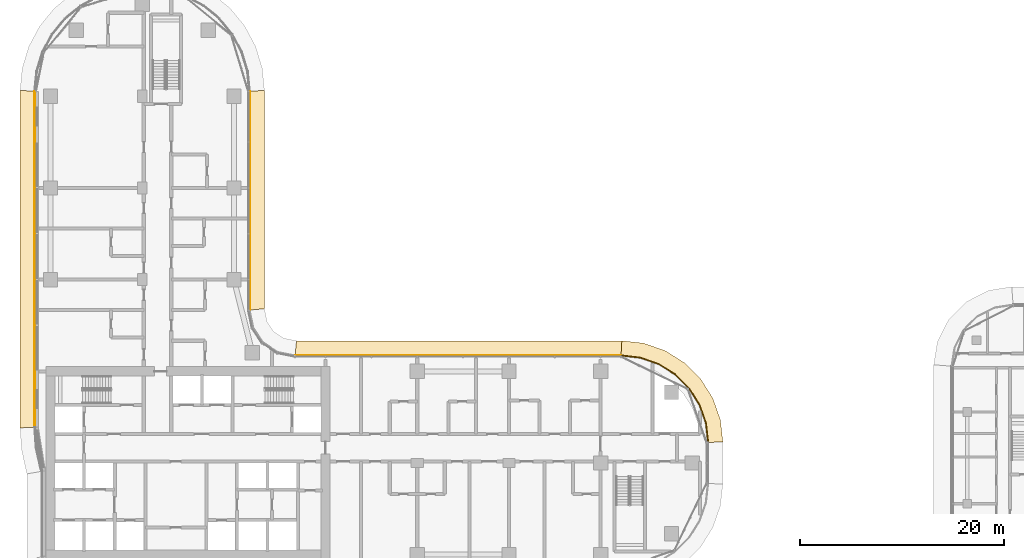
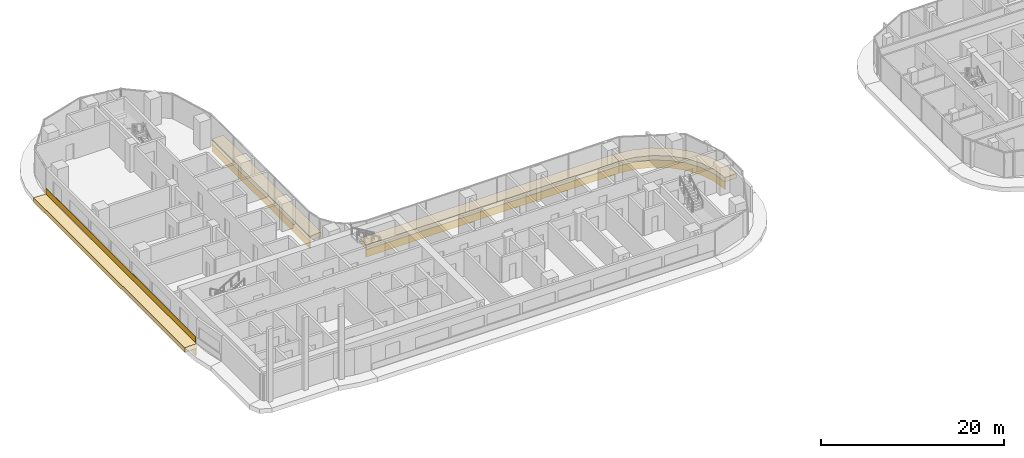
# One storey, part 32 of 36: 9 coverings.
"""IFC4 building model written with IfcOpenShell, lengths in metres."""

from ifc_helpers import new_model, si_unit, direction, frame, origin, origin_2d, place, context, subcontext, project, spatial, polyline, rectangle, outline, extrude, material, layer, layer_set, type_object, element, save


model = new_model("IFC4")

# Units and contexts
model_context = context("Model", 3, precision=1e-05, world=origin(), true_north=direction((0.0, 1.0)))
body_context = subcontext(model_context, "Body", "Model", "MODEL_VIEW")
ifc_project = project(units=[si_unit("LENGTHUNIT", "METRE"), si_unit("AREAUNIT", "SQUARE_METRE"), si_unit("VOLUMEUNIT", "CUBIC_METRE"), si_unit("PLANEANGLEUNIT", "RADIAN"), si_unit("MASSUNIT", "GRAM", prefix="KILO")], contexts=[model_context])

# Site, building, storey
site_placement = place(None, origin())
site = spatial("IfcSite", under=ifc_project, at=site_placement, CompositionType="ELEMENT")
building_placement = place(site_placement, origin())
building = spatial("IfcBuilding", under=site, at=building_placement, Name="Ogive Portal Towers", CompositionType="ELEMENT")
storey_placement = place(building_placement, frame((0.0, 0.0, 70.5)))
storey = spatial("IfcBuildingStorey", under=building, at=storey_placement, Name="L16", CompositionType="ELEMENT", Elevation=70.5)

# Coverings
ifc_material = material(Name="Limestone cladding on lightweight block wall", Category="masonry")
ifc_layer_1 = layer(ifc_material, 0.050048828125)
ifc_layer_set_1 = layer_set([ifc_layer_1], Name="SCREEN PERFORATED STONE")
covering_type_1 = type_object("IfcCoveringType", Name="SCREEN PERFORATED STONE", PredefinedType="CLADDING", material=ifc_layer_set_1)
covering_1_placement = place(storey_placement, frame((29.97509765625, 50.50830078125, 0.10009765625), z_axis=(0.0, 0.0, 1.0), x_axis=(0.0, -1.0, 0.0)))
element("IfcCovering", 1, at=covering_1_placement, inside=storey, type_object=covering_type_1, Name="Tracery screen", PredefinedType="CLADDING", context=body_context, shape_type="SweptSolid", body=[
    extrude(rectangle(XDim=32.767822265625, YDim=0.050048828125, at=origin_2d()), origin(), (0.0, 0.0, 1.0), 0.800048828125),
])
ifc_layer_2 = layer(ifc_material, 0.080078125)
ifc_layer_set_2 = layer_set([ifc_layer_2], Name="STONE SPANDREL 80")
covering_type_2 = type_object("IfcCoveringType", Name="STONE SPANDREL 80", PredefinedType="CLADDING", material=ifc_layer_set_2)
covering_2_placement = place(storey_placement, frame((0.0, 0.0, -1.60009765625)))
element("IfcCovering", 2, at=covering_2_placement, inside=storey, type_object=covering_type_2, Name="Stone spandrel A1-F08", PredefinedType="CLADDING", context=body_context, shape_type="SweptSolid", body=[
    extrude(outline(polyline([(96.0, 32.5), (95.786865234375, 34.391357421875), (95.158203125, 36.18798828125), (94.1455078125, 37.799560546875), (92.799560546875, 39.1455078125), (91.18798828125, 40.158203125), (89.391357421875, 40.786865234375), (87.5, 41.0), (87.50439453125, 41.080078125), (89.409423828125, 40.865478515625), (91.222900390625, 40.230712890625), (92.849853515625, 39.20849609375), (94.20849609375, 37.849853515625), (95.230712890625, 36.222900390625), (95.865478515625, 34.409423828125), (96.080078125, 32.50439453125), (96.0, 32.5)])), origin(), (0.0, 0.0, 1.0), 1.0),
])
covering_3_placement = place(storey_placement, frame((0.0, 0.0, -1.60009765625)))
element("IfcCovering", 3, at=covering_3_placement, inside=storey, type_object=covering_type_2, Name="Stone spandrel A1-F09", PredefinedType="CLADDING", context=body_context, shape_type="SweptSolid", body=[
    extrude(outline(polyline([(87.5, 41.0), (55.5, 41.0), (55.5078125, 41.080078125), (87.50439453125, 41.080078125), (87.5, 41.0)])), origin(), (0.0, 0.0, 1.0), 1.0),
])
covering_4_placement = place(storey_placement, frame((0.0, 0.0, -1.60009765625)))
element("IfcCovering", 4, at=covering_4_placement, inside=storey, type_object=covering_type_2, Name="Stone spandrel A1-F11", PredefinedType="CLADDING", context=body_context, shape_type="SweptSolid", body=[
    extrude(outline(polyline([(51.0, 45.5), (51.0, 67.0), (51.080078125, 67.00390625), (51.080078125, 45.5078125), (51.0, 45.5)])), origin(), (0.0, 0.0, 1.0), 1.0),
])
covering_5_placement = place(storey_placement, frame((0.0, 0.0, -1.60009765625)))
element("IfcCovering", 5, at=covering_5_placement, inside=storey, type_object=covering_type_2, Name="Stone spandrel A1-F13", PredefinedType="CLADDING", context=body_context, shape_type="SweptSolid", body=[
    extrude(outline(polyline([(30.0, 67.0), (30.0, 34.0), (29.919921875, 33.9970703125), (29.919921875, 67.00390625), (30.0, 67.0)])), origin(), (0.0, 0.0, 1.0), 1.0),
])
ifc_layer_3 = layer(ifc_material, 0.60009765625)
ifc_layer_set_3 = layer_set([ifc_layer_3], Name="SUNSHADE LIP 600")
covering_type_3 = type_object("IfcCoveringType", Name="SUNSHADE LIP 600", PredefinedType="CLADDING", material=ifc_layer_set_3)
covering_6_placement = place(storey_placement, frame((0.0, 0.0, -0.60009765625)))
element("IfcCovering", 6, at=covering_6_placement, inside=storey, type_object=covering_type_3, Name="Sunshade lip A1-F08", PredefinedType="CLADDING", context=body_context, shape_type="SweptSolid", body=[
    extrude(outline(polyline([(96.0, 32.5), (95.786865234375, 34.391357421875), (95.158203125, 36.18798828125), (94.1455078125, 37.799560546875), (92.799560546875, 39.1455078125), (91.18798828125, 40.158203125), (89.391357421875, 40.786865234375), (87.5, 41.0), (87.584228515625, 42.5), (89.727294921875, 42.258544921875), (91.843017578125, 41.518310546875), (93.74072265625, 40.32568359375), (95.32568359375, 38.74072265625), (96.518310546875, 36.843017578125), (97.258544921875, 34.727294921875), (97.5, 32.584228515625), (96.0, 32.5)])), origin(), (0.0, 0.0, 1.0), 0.60009765625),
])
covering_7_placement = place(storey_placement, frame((0.0, 0.0, -0.60009765625)))
element("IfcCovering", 7, at=covering_7_placement, inside=storey, type_object=covering_type_3, Name="Sunshade lip A1-F09", PredefinedType="CLADDING", context=body_context, shape_type="SweptSolid", body=[
    extrude(outline(polyline([(87.5, 41.0), (55.5, 41.0), (55.647705078125, 42.5), (87.584228515625, 42.5), (87.5, 41.0)])), origin(), (0.0, 0.0, 1.0), 0.60009765625),
])
covering_8_placement = place(storey_placement, frame((0.0, 0.0, -0.60009765625)))
element("IfcCovering", 8, at=covering_8_placement, inside=storey, type_object=covering_type_3, Name="Sunshade lip A1-F11", PredefinedType="CLADDING", context=body_context, shape_type="SweptSolid", body=[
    extrude(outline(polyline([(51.0, 45.5), (51.0, 67.0), (52.5, 67.07373046875), (52.5, 45.647705078125), (51.0, 45.5)])), origin(), (0.0, 0.0, 1.0), 0.60009765625),
])
covering_9_placement = place(storey_placement, frame((0.0, 0.0, -0.60009765625)))
element("IfcCovering", 9, at=covering_9_placement, inside=storey, type_object=covering_type_3, Name="Sunshade lip A1-F13", PredefinedType="CLADDING", context=body_context, shape_type="SweptSolid", body=[
    extrude(outline(polyline([(30.0, 67.0), (30.0, 34.0), (28.5, 33.946533203125), (28.5, 67.07373046875), (30.0, 67.0)])), origin(), (0.0, 0.0, 1.0), 0.60009765625),
])

save(model, "model.ifc")
